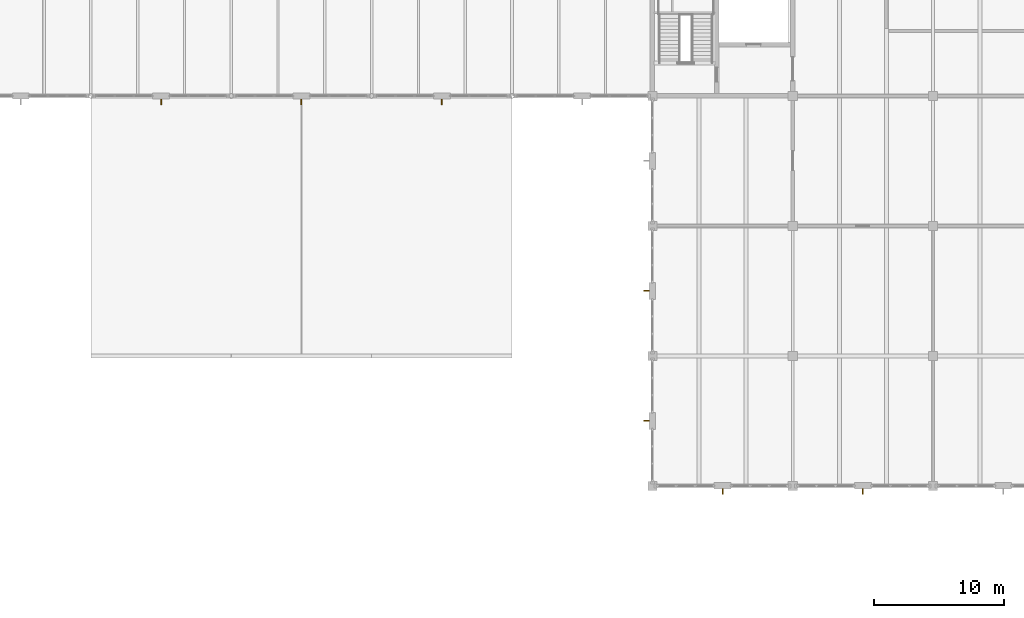
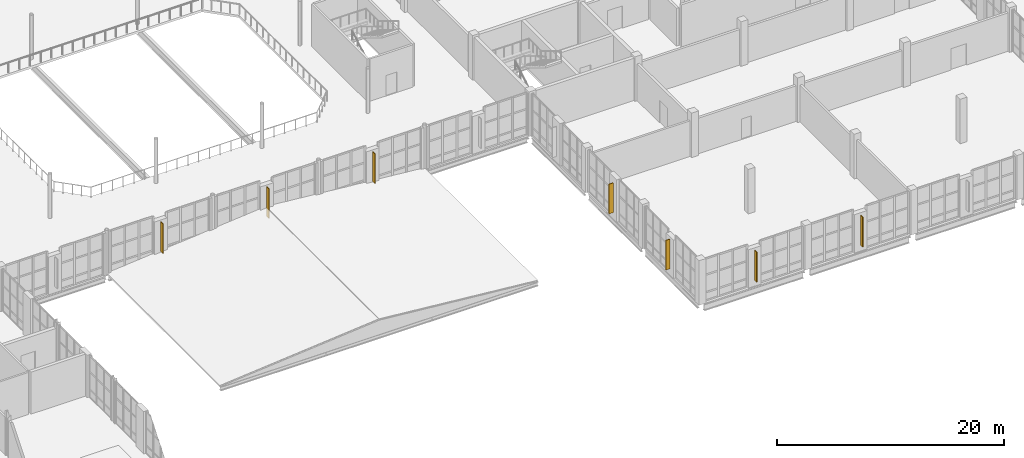
# One storey, part 85 of 92: 7 shading devices.
"""IFC4 building model written with IfcOpenShell, lengths in metres."""

from ifc_helpers import new_model, si_unit, direction, frame, origin, origin_2d, place, context, subcontext, project, spatial, rectangle, extrude, material, type_object, element, save


model = new_model("IFC4")

# Units and contexts
model_context = context("Model", 3, precision=1e-05, world=origin(), true_north=direction((0.0, 1.0)))
body_context = subcontext(model_context, "Body", "Model", "MODEL_VIEW")
ifc_project = project(units=[si_unit("LENGTHUNIT", "METRE"), si_unit("AREAUNIT", "SQUARE_METRE"), si_unit("VOLUMEUNIT", "CUBIC_METRE"), si_unit("PLANEANGLEUNIT", "RADIAN"), si_unit("MASSUNIT", "GRAM", prefix="KILO")], contexts=[model_context])

# Site, building, storey
site_placement = place(None, origin())
site = spatial("IfcSite", under=ifc_project, at=site_placement, CompositionType="ELEMENT")
building_placement = place(site_placement, origin())
building = spatial("IfcBuilding", under=site, at=building_placement, Name="Tasgan Crest Museum", CompositionType="ELEMENT")
storey_placement = place(building_placement, frame((0.0, 0.0, 4.800048828125)))
storey = spatial("IfcBuildingStorey", under=building, at=storey_placement, Name="L01", CompositionType="ELEMENT", Elevation=4.800048828125)

# Shading devices
ifc_material = material(Name="Anodised Bronze Aluminium", Category="aluminium")
shading_device_type = type_object("IfcShadingDeviceType", Name="SH-FIN-V400", PredefinedType="JALOUSIE", material=ifc_material)
for number, where, z_axis, x_axis, name in (
    (1, (70.199951171875, 39.550048828125, 0.68017578125), (0.0, 0.0, 1.0), (1.0, 0.0, 0.0), "Facade pier solar fin L01"),
    (2, (81.0, 39.550048828125, 0.68017578125), (0.0, 0.0, 1.0), (1.0, 0.0, 0.0), "Facade pier solar fin L01"),
    (3, (91.800048828125, 39.550048828125, 0.68017578125), (0.0, 0.0, 1.0), (1.0, 0.0, 0.0), "Facade pier solar fin L01"),
    (4, (107.550048828125, 25.0, 0.68017578125), (0.0, 0.0, 1.0), (0.0, -1.0, 0.0), "Facade pier solar fin L01"),
    (5, (107.550048828125, 15.0, 0.68017578125), (0.0, 0.0, 1.0), (0.0, -1.0, 0.0), "Facade pier solar fin L01"),
    (6, (113.39990234375, 9.550048828125, 0.68017578125), (0.0, 0.0, 1.0), (1.0, 0.0, 0.0), "Facade pier solar fin L01"),
    (7, (124.199951171875, 9.550048828125, 0.68017578125), (0.0, 0.0, 1.0), (1.0, 0.0, 0.0), "Facade pier solar fin L01"),
):
    element("IfcShadingDevice", number, at=place(storey_placement, frame(where, z_axis=z_axis, x_axis=x_axis)), inside=storey, type_object=shading_device_type, Name=name, PredefinedType="JALOUSIE", context=body_context, shape_type="SweptSolid", body=[
        extrude(rectangle(XDim=0.080078125, YDim=0.419921875, at=origin_2d()), origin(), (0.0, 0.0, 1.0), 3.199951171875),
    ])

save(model, "model.ifc")
